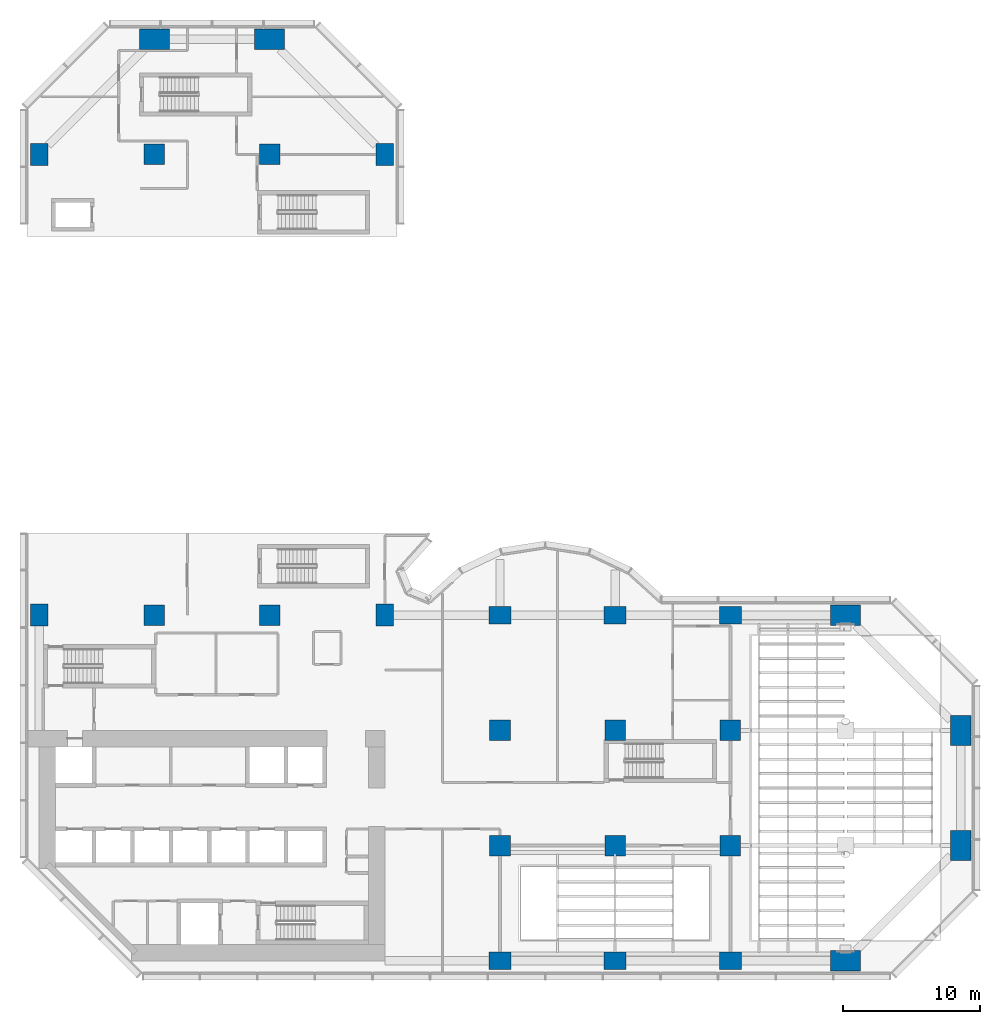
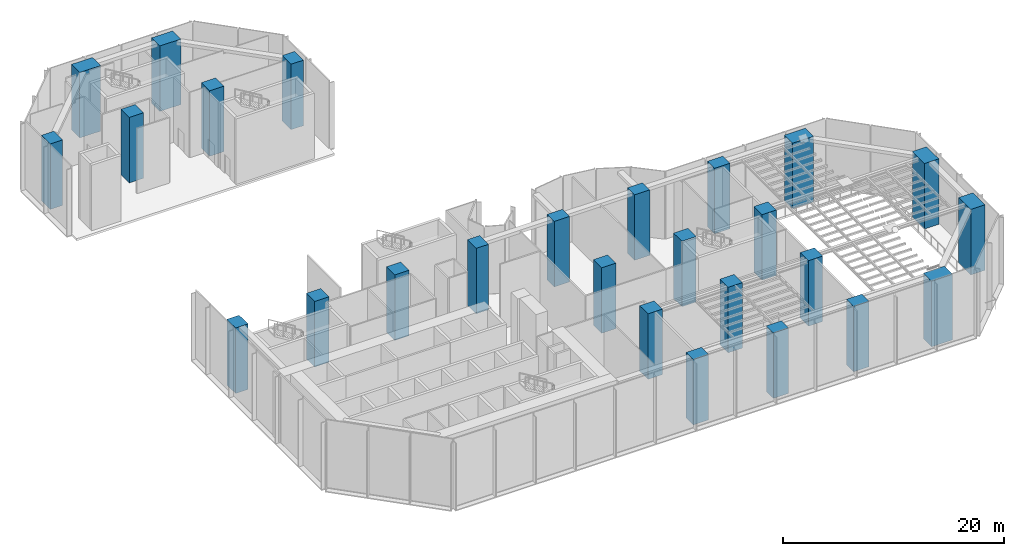
# One storey, part 1 of 22: 26 columns.
"""IFC4 building model written with IfcOpenShell, lengths in metres."""

import ifcopenshell
import ifcopenshell.guid

model = None  # the IFC model being written
_history = None  # IfcOwnerHistory: only IFC2X3 demands one
_inside = {}  # id of a spatial element -> (the spatial element, [elements in it])
_under = {}  # id of a project, library or spatial element -> (it, [spatial elements below it])
_declared = {}  # id of a project -> (the project, [libraries it declares])
_typed = {}  # id of a type object -> (the type object, [elements of that type])
_made_of = {}  # id of a material, layer set ... -> (it, [elements and type objects made of it])


def new_model(schema):
    """Start an empty IFC model of exactly this schema.

    Asked for "IFC4X3", IfcOpenShell would pick the latest addendum, in which some entities
    have other attributes; the version numbers below select the first issue.
    IFC2X3 requires an IfcOwnerHistory on every rooted entity: one is made here for all.
    """
    global model, _history
    if schema == "IFC4X3":
        model = ifcopenshell.file(schema_version=(4, 3, 0, 0))
    else:
        model = ifcopenshell.file(schema=schema)
    _inside.clear()
    _under.clear()
    _declared.clear()
    _typed.clear()
    _made_of.clear()
    _history = None
    if model.schema == "IFC2X3":
        org = make("IfcOrganization", Name="unknown")
        user = make(
            "IfcPersonAndOrganization",
            ThePerson=make("IfcPerson", FamilyName="unknown"),
            TheOrganization=org,
        )
        app = make(
            "IfcApplication",
            ApplicationDeveloper=org,
            Version="unknown",
            ApplicationFullName="unknown",
            ApplicationIdentifier="unknown",
        )
        _history = make(
            "IfcOwnerHistory",
            OwningUser=user,
            OwningApplication=app,
            ChangeAction="ADDED",
            CreationDate=0,
        )
    return model


def make(cls, **values):
    """One entity of the class cls with the attributes given. An attribute that is None is left unset."""
    return model.create_entity(
        cls, **{name: value for name, value in values.items() if value is not None}
    )


def rooted(cls, **values):
    """An entity with a GlobalId (a new one), such as an element, a storey or a relation."""
    return make(cls, GlobalId=ifcopenshell.guid.new(), OwnerHistory=_history, **values)


def si_unit(unit_type, name, prefix=None):
    """IfcSIUnit, for example si_unit("LENGTHUNIT", "METRE", prefix="MILLI")."""
    return make("IfcSIUnit", UnitType=unit_type, Prefix=prefix, Name=name)


def assignment(units):
    """IfcUnitAssignment: the units of a project."""
    return None if units is None else make("IfcUnitAssignment", Units=units)


def point(xyz):
    """IfcCartesianPoint."""
    return None if xyz is None else make("IfcCartesianPoint", Coordinates=xyz)


def direction(xyz):
    """IfcDirection."""
    return None if xyz is None else make("IfcDirection", DirectionRatios=xyz)


def frame(location, z_axis=None, x_axis=None):
    """IfcAxis2Placement3D, a coordinate frame: its origin and axes. An axis left out is left unset."""
    return make(
        "IfcAxis2Placement3D",
        Location=point(location),
        Axis=direction(z_axis),
        RefDirection=direction(x_axis),
    )


def frame_2d(location, x_axis=None):
    """IfcAxis2Placement2D, a coordinate frame in the plane: its origin and x axis."""
    return make(
        "IfcAxis2Placement2D", Location=point(location), RefDirection=direction(x_axis)
    )


def origin():
    """The frame at (0, 0, 0) with its axes left unset."""
    return frame((0.0, 0.0, 0.0))


def origin_2d():
    """The frame at (0, 0) in the plane with its x axis left unset."""
    return frame_2d((0.0, 0.0))


def place(relative_to, where):
    """IfcLocalPlacement: puts the frame where relative to a parent placement (None: the world)."""
    return make(
        "IfcLocalPlacement", PlacementRelTo=relative_to, RelativePlacement=where
    )


def context(
    kind, dimensions, precision=None, world=None, true_north=None, identifier=None
):
    """IfcGeometricRepresentationContext, for example the 3D "Model" context."""
    return make(
        "IfcGeometricRepresentationContext",
        ContextIdentifier=identifier,
        ContextType=kind,
        CoordinateSpaceDimension=dimensions,
        Precision=precision,
        WorldCoordinateSystem=world,
        TrueNorth=true_north,
    )


def subcontext(parent, identifier, kind, view, scale=None):
    """IfcGeometricRepresentationSubContext, for example "Body" below "Model"."""
    return make(
        "IfcGeometricRepresentationSubContext",
        ContextIdentifier=identifier,
        ContextType=kind,
        ParentContext=parent,
        TargetScale=scale,
        TargetView=view,
    )


def project(units=None, contexts=None):
    """IfcProject with its units and contexts."""
    return rooted(
        "IfcProject",
        Name="project",
        RepresentationContexts=contexts,
        UnitsInContext=assignment(units),
    )


def spatial(cls, under=None, at=None, **own):
    """A site, building, storey or space (cls), placed at a placement, below another one or the project."""
    s = rooted(cls, ObjectPlacement=at, **own)
    if under is not None:
        _under.setdefault(under.id(), (under, []))[1].append(s)
    return s


def profile(cls, at=None, kind="AREA", **sizes):
    """A parametric profile (cls). Its sizes go by their IFC names, for example OverallWidth=200.0."""
    return make(cls, ProfileType=kind, Position=at, **sizes)


def rectangle(**sizes):
    """IfcRectangleProfileDef."""
    return profile("IfcRectangleProfileDef", **sizes)


def extrude(swept, where, along, depth):
    """IfcExtrudedAreaSolid: the profile swept, set in the frame where, extruded along a direction by depth."""
    return make(
        "IfcExtrudedAreaSolid",
        SweptArea=swept,
        Position=where,
        ExtrudedDirection=direction(along),
        Depth=depth,
    )


def shape(context_of_items, identifier, shape_type, items):
    """IfcShapeRepresentation: the items that make up one representation, for example the "Body"."""
    return make(
        "IfcShapeRepresentation",
        ContextOfItems=context_of_items,
        RepresentationIdentifier=identifier,
        RepresentationType=shape_type,
        Items=items,
    )


def material(Name=None, Category=None):
    """IfcMaterial."""
    return make("IfcMaterial", Name=Name, Category=Category)


def material_profile(
    of_material, cross_section, Name=None, Category=None, Priority=None
):
    """IfcMaterialProfile: a cross section and its material."""
    return make(
        "IfcMaterialProfile",
        Name=Name,
        Material=of_material,
        Profile=cross_section,
        Priority=Priority,
        Category=Category,
    )


def profile_set(profiles, Name=None, composite=None):
    """IfcMaterialProfileSet."""
    return make(
        "IfcMaterialProfileSet",
        Name=Name,
        MaterialProfiles=profiles,
        CompositeProfile=composite,
    )


def made_of(thing, what):
    """Note that an element or type object is made of a material, layer set ...; save() writes the relation."""
    if what is not None:
        _made_of.setdefault(what.id(), (what, []))[1].append(thing)
    return thing


def type_object(cls, material=None, **own):
    """A type object (cls), such as IfcWallType, which elements share."""
    return made_of(rooted(cls, **own), material)


def element(
    cls,
    number,
    at=None,
    inside=None,
    cuts=None,
    type_object=None,
    material=None,
    context=None,
    identifier="Body",
    shape_type=None,
    held_by="IfcProductDefinitionShape",
    body=None,
    shapes=None,
    **own,
):
    """One element of the class cls, such as IfcWall. Its Tag is "e" and its number.

    at: its placement. inside: the storey or other place that contains it. cuts: it is an
    opening in that element (IfcRelVoidsElement). A single representation is given by context,
    identifier, shape_type and body (its items); several are given by shapes. held_by: the class
    of the entity that holds the representations. save() writes the other relations.
    """
    e = rooted(cls, Tag="e%d" % number, ObjectPlacement=at, **own)
    if body is not None:
        shapes = [shape(context, identifier, shape_type, body)]
    if shapes is not None:
        e.Representation = make(held_by, Representations=shapes)
    if inside is not None:
        _inside.setdefault(inside.id(), (inside, []))[1].append(e)
    if cuts is not None:
        rooted(
            "IfcRelVoidsElement", RelatingBuildingElement=cuts, RelatedOpeningElement=e
        )
    if type_object is not None:
        _typed.setdefault(type_object.id(), (type_object, []))[1].append(e)
    return made_of(e, material)


def aggregate(whole, parts):
    """IfcRelAggregates: a whole, such as a stair, and the parts it consists of."""
    return rooted("IfcRelAggregates", RelatingObject=whole, RelatedObjects=parts)


def save(model, path):
    """Write the relations noted so far, then the file.

    IfcRelAggregates (storeys below a building ...), IfcRelContainedInSpatialStructure (elements
    in a storey), IfcRelDefinesByType, IfcRelAssociatesMaterial and IfcRelDeclares: one each for
    every whole, place, type object, material and project.
    """
    for whole, parts in _under.values():
        aggregate(whole, parts)
    for where, things in _inside.values():
        rooted(
            "IfcRelContainedInSpatialStructure",
            RelatedElements=things,
            RelatingStructure=where,
        )
    for kind, things in _typed.values():
        rooted("IfcRelDefinesByType", RelatedObjects=things, RelatingType=kind)
    for what, things in _made_of.values():
        rooted("IfcRelAssociatesMaterial", RelatedObjects=things, RelatingMaterial=what)
    for by, libraries in _declared.values():
        rooted("IfcRelDeclares", RelatingContext=by, RelatedDefinitions=libraries)
    model.write(path)


model = new_model("IFC4")

# Units and contexts
model_context = context("Model", 3, precision=1e-05, world=origin(), true_north=direction((0.0, 1.0)))
body_context = subcontext(model_context, "Body", "Model", "MODEL_VIEW")
ifc_project = project(units=[si_unit("LENGTHUNIT", "METRE"), si_unit("AREAUNIT", "SQUARE_METRE"), si_unit("VOLUMEUNIT", "CUBIC_METRE"), si_unit("PLANEANGLEUNIT", "RADIAN"), si_unit("MASSUNIT", "GRAM", prefix="KILO")], contexts=[model_context])

# Site, building, storey
site_placement = place(None, origin())
site = spatial("IfcSite", under=ifc_project, at=site_placement, CompositionType="ELEMENT")
building_placement = place(site_placement, origin())
building = spatial("IfcBuilding", under=site, at=building_placement, Name="Brevane Broadcast Tower", CompositionType="ELEMENT")
storey_placement = place(building_placement, frame((0.0, 0.0, 20.0)))
storey = spatial("IfcBuildingStorey", under=building, at=storey_placement, Name="L03", CompositionType="ELEMENT", Elevation=20.0)

# Columns
ifc_material = material(Name="Concrete C80/95", Category="concrete")
ifc_material_profile_1 = material_profile(ifc_material, rectangle(XDim=1.300048828125, YDim=1.60009765625, at=origin_2d()), Name="RC 1300x1600")
ifc_profile_set_1 = profile_set([ifc_material_profile_1], Name="Concrete C80/95")
column_type_1 = type_object("IfcColumnType", Name="RC COLUMN EDGE 1300x1600 C80/95", PredefinedType="COLUMN", material=ifc_profile_set_1)
for number, where, z_axis, x_axis, name in (
    (1, (0.0, 25.199951171875, 0.0), (0.0, 0.0, 1.0), (1.0, 0.0, 0.0), "CE1 1/D"),
    (2, (0.0, 58.800048828125, 0.0), (0.0, 0.0, 1.0), (1.0, 0.0, 0.0), "CE1 1/H"),
    (3, (25.199951171875, 25.199951171875, 0.0), (0.0, 0.0, 1.0), (1.0, 0.0, 0.0), "CE1 4/D"),
    (4, (25.199951171875, 58.800048828125, 0.0), (0.0, 0.0, 1.0), (1.0, 0.0, 0.0), "CE1 4/H"),
    (5, (33.60009765625, 0.0, 0.0), (0.0, 0.0, 1.0), (0.0, 1.0, 0.0), "CE1 5/A"),
    (6, (33.60009765625, 25.199951171875, 0.0), (0.0, 0.0, 1.0), (0.0, 1.0, 0.0), "CE1 5/D"),
    (7, (42.0, 0.0, 0.0), (0.0, 0.0, 1.0), (0.0, 1.0, 0.0), "CE1 6/A"),
    (8, (42.0, 25.199951171875, 0.0), (0.0, 0.0, 1.0), (0.0, 1.0, 0.0), "CE1 6/D"),
    (9, (50.39990234375, 0.0, 0.0), (0.0, 0.0, 1.0), (0.0, 1.0, 0.0), "CE1 7/A"),
    (10, (50.39990234375, 25.199951171875, 0.0), (0.0, 0.0, 1.0), (0.0, 1.0, 0.0), "CE1 7/D"),
):
    element("IfcColumn", number, at=place(storey_placement, frame(where, z_axis=z_axis, x_axis=x_axis)), inside=storey, type_object=column_type_1, Name=name, PredefinedType="COLUMN", context=body_context, shape_type="SweptSolid", body=[
        extrude(rectangle(XDim=1.300048828125, YDim=1.60009765625, at=origin_2d()), origin(), (0.0, 0.0, 1.0), 7.25),
    ])
ifc_material_profile_2 = material_profile(ifc_material, rectangle(XDim=1.5, YDim=2.199951171875, at=origin_2d()), Name="RC 1500x2200")
ifc_profile_set_2 = profile_set([ifc_material_profile_2], Name="Concrete C80/95")
column_type_2 = type_object("IfcColumnType", Name="RC COLUMN EDGE 1500x2200 C80/95", PredefinedType="COLUMN", material=ifc_profile_set_2)
for number, where, z_axis, x_axis, name in (
    (11, (58.800048828125, 0.0, 0.0), (0.0, 0.0, 1.0), (0.0, 1.0, 0.0), "CE4 8/A"),
    (12, (58.800048828125, 25.199951171875, 0.0), (0.0, 0.0, 1.0), (0.0, 1.0, 0.0), "CE4 8/D"),
):
    element("IfcColumn", number, at=place(storey_placement, frame(where, z_axis=z_axis, x_axis=x_axis)), inside=storey, type_object=column_type_2, Name=name, PredefinedType="COLUMN", context=body_context, shape_type="SweptSolid", body=[
        extrude(rectangle(XDim=1.5, YDim=2.199951171875, at=origin_2d()), origin(), (0.0, 0.0, 1.0), 7.25),
    ])
ifc_material_profile_3 = material_profile(ifc_material, rectangle(XDim=1.5, YDim=1.5, at=origin_2d()), Name="RC 1500x1500")
ifc_profile_set_3 = profile_set([ifc_material_profile_3], Name="Concrete C80/95")
column_type_3 = type_object("IfcColumnType", Name="RC COLUMN INTERIOR 1500x1500 C80/95", PredefinedType="COLUMN", material=ifc_profile_set_3)
for number, where, z_axis, x_axis, name in (
    (13, (8.39990234375, 25.199951171875, 0.0), (0.0, 0.0, 1.0), (1.0, 0.0, 0.0), "CI2 2/D"),
    (14, (8.39990234375, 58.800048828125, 0.0), (0.0, 0.0, 1.0), (1.0, 0.0, 0.0), "CI2 2/H"),
    (15, (16.800048828125, 25.199951171875, 0.0), (0.0, 0.0, 1.0), (1.0, 0.0, 0.0), "CI2 3/D"),
    (16, (16.800048828125, 58.800048828125, 0.0), (0.0, 0.0, 1.0), (1.0, 0.0, 0.0), "CI2 3/H"),
    (17, (33.60009765625, 8.39990234375, 0.0), (0.0, 0.0, 1.0), (1.0, 0.0, 0.0), "CI2 5/B"),
    (18, (33.60009765625, 16.800048828125, 0.0), (0.0, 0.0, 1.0), (1.0, 0.0, 0.0), "CI2 5/C"),
    (19, (42.0, 8.39990234375, 0.0), (0.0, 0.0, 1.0), (1.0, 0.0, 0.0), "CI2 6/B"),
    (20, (42.0, 16.800048828125, 0.0), (0.0, 0.0, 1.0), (1.0, 0.0, 0.0), "CI2 6/C"),
    (21, (50.39990234375, 8.39990234375, 0.0), (0.0, 0.0, 1.0), (1.0, 0.0, 0.0), "CI2 7/B"),
    (22, (50.39990234375, 16.800048828125, 0.0), (0.0, 0.0, 1.0), (1.0, 0.0, 0.0), "CI2 7/C"),
):
    element("IfcColumn", number, at=place(storey_placement, frame(where, z_axis=z_axis, x_axis=x_axis)), inside=storey, type_object=column_type_3, Name=name, PredefinedType="COLUMN", context=body_context, shape_type="SweptSolid", body=[
        extrude(rectangle(XDim=1.5, YDim=1.5, at=origin_2d()), origin(), (0.0, 0.0, 1.0), 7.25),
    ])
ifc_material_profile_4 = material_profile(ifc_material, rectangle(XDim=1.5, YDim=2.199951171875, at=origin_2d()), Name="RC 1500x2200")
ifc_profile_set_4 = profile_set([ifc_material_profile_4], Name="Concrete C80/95")
column_type_4 = type_object("IfcColumnType", Name="RC COLUMN WING-END 1500x2200 C80/95", PredefinedType="COLUMN", material=ifc_profile_set_4)
for number, where, z_axis, x_axis, name in (
    (23, (8.39990234375, 67.199951171875, 0.0), (0.0, 0.0, 1.0), (0.0, 1.0, 0.0), "CW3 2/I"),
    (24, (16.800048828125, 67.199951171875, 0.0), (0.0, 0.0, 1.0), (0.0, 1.0, 0.0), "CW3 3/I"),
    (25, (67.199951171875, 8.39990234375, 0.0), (0.0, 0.0, 1.0), (1.0, 0.0, 0.0), "CW3 9/B"),
    (26, (67.199951171875, 16.800048828125, 0.0), (0.0, 0.0, 1.0), (1.0, 0.0, 0.0), "CW3 9/C"),
):
    element("IfcColumn", number, at=place(storey_placement, frame(where, z_axis=z_axis, x_axis=x_axis)), inside=storey, type_object=column_type_4, Name=name, PredefinedType="COLUMN", context=body_context, shape_type="SweptSolid", body=[
        extrude(rectangle(XDim=1.5, YDim=2.199951171875, at=origin_2d()), origin(), (0.0, 0.0, 1.0), 7.25),
    ])

save(model, "model.ifc")
